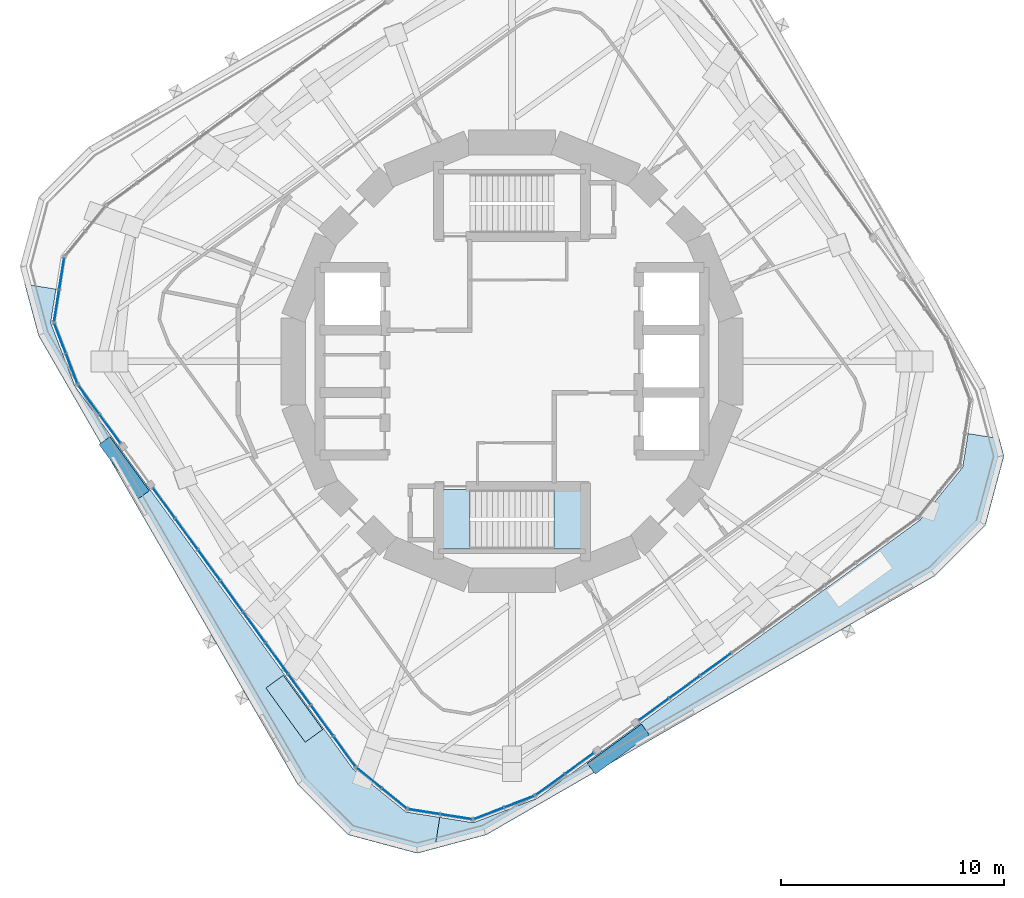
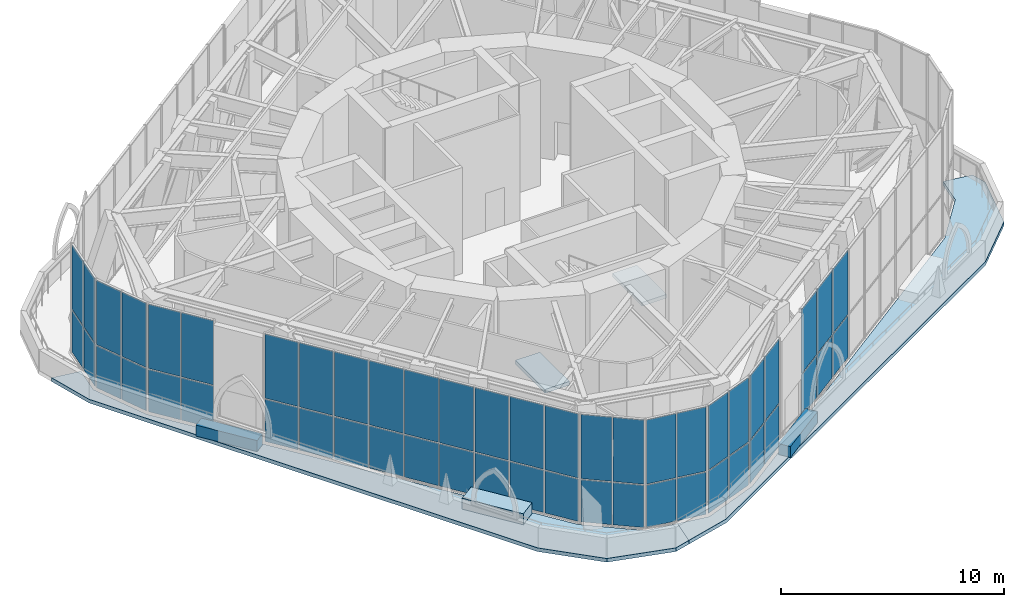
# One storey, part 10 of 18: 55 plates, 4 slabs, 10 elements without a shape of their own.
"""IFC4 building model written with IfcOpenShell, lengths in metres."""

from ifc_helpers import new_model, si_unit, direction, frame, origin, origin_2d, place, context, subcontext, project, spatial, polyline, rectangle, outline, extrude, material, layer, layer_set, type_object, element, aggregate, save


model = new_model("IFC4")

# Units and contexts
model_context = context("Model", 3, precision=1e-05, world=origin(), true_north=direction((0.0, 1.0)))
body_context = subcontext(model_context, "Body", "Model", "MODEL_VIEW")
ifc_project = project(units=[si_unit("LENGTHUNIT", "METRE"), si_unit("AREAUNIT", "SQUARE_METRE"), si_unit("VOLUMEUNIT", "CUBIC_METRE"), si_unit("PLANEANGLEUNIT", "RADIAN"), si_unit("MASSUNIT", "GRAM", prefix="KILO")], contexts=[model_context])

# Site, building, storey
site_placement = place(None, origin())
site = spatial("IfcSite", under=ifc_project, at=site_placement, CompositionType="ELEMENT")
building_placement = place(site_placement, origin())
building = spatial("IfcBuilding", under=site, at=building_placement, Name="Nakasero Lantern House", CompositionType="ELEMENT")
storey_placement = place(building_placement, frame((0.0, 0.0, 257.75)))
storey = spatial("IfcBuildingStorey", under=building, at=storey_placement, Name="L63", CompositionType="ELEMENT", Elevation=257.75)

# Curtain wall, plates
ifc_material_1 = material(Name="Aluminium 6063-T6 and glass", Category="aluminium")
curtain_wall_type = type_object("IfcCurtainWallType", Name="Sky lounge glazing CW-3", PredefinedType="USERDEFINED", material=ifc_material_1)
curtain_wall_1_placement = place(storey_placement, origin())
curtain_wall_1 = element("IfcCurtainWall", 1, at=curtain_wall_1_placement, inside=storey, type_object=curtain_wall_type, Name="Curtain wall CW-3 L63", ObjectType="STICK CURTAIN WALL", PredefinedType="USERDEFINED")
ifc_material_2 = material(Name="Glass", Category="glass")
ifc_layer_1 = layer(ifc_material_2, 0.028076171875)
ifc_layer_set_1 = layer_set([ifc_layer_1], Name="Glazed panel CW-3")
plate_type_1 = type_object("IfcPlateType", Name="Glazed panel CW-3", PredefinedType="CURTAIN_PANEL", material=ifc_layer_set_1)
plate_1_placement = place(storey_placement, frame((-20.177734375, 3.93408203125, 0.06005859375), z_axis=(0.0, 0.0, 1.0), x_axis=(-0.15643446504, -0.987688340595, 0.0)))
plate_1 = element("IfcPlate", 2, at=plate_1_placement, type_object=plate_type_1, Name="CW-3 panel 1.1", PredefinedType="CURTAIN_PANEL", context=body_context, shape_type="SweptSolid", body=[
    extrude(rectangle(XDim=1.398193359375, YDim=0.028076171875, at=origin_2d()), origin(), (0.0, 0.0, 1.0), 2.31005859375),
])
plate_2_placement = place(storey_placement, frame((-20.177734375, 3.93408203125, 2.43017578125), z_axis=(0.0, 0.0, 1.0), x_axis=(-0.15643446504, -0.987688340595, 0.0)))
plate_2 = element("IfcPlate", 3, at=plate_2_placement, type_object=plate_type_1, Name="CW-3 panel 1.2", PredefinedType="CURTAIN_PANEL", context=body_context, shape_type="SweptSolid", body=[
    extrude(rectangle(XDim=1.398193359375, YDim=0.028076171875, at=origin_2d()), origin(), (0.0, 0.0, 1.0), 3.510009765625),
])
plate_3_placement = place(storey_placement, frame((-20.40576171875, 2.493896484375, 0.06005859375), z_axis=(0.0, 0.0, 1.0), x_axis=(-0.15643446504, -0.987688340595, 0.0)))
plate_3 = element("IfcPlate", 4, at=plate_3_placement, type_object=plate_type_1, Name="CW-3 panel 2.1", PredefinedType="CURTAIN_PANEL", context=body_context, shape_type="SweptSolid", body=[
    extrude(rectangle(XDim=1.398193359375, YDim=0.028076171875, at=origin_2d()), origin(), (0.0, 0.0, 1.0), 2.31005859375),
])
plate_4_placement = place(storey_placement, frame((-20.40576171875, 2.493896484375, 2.43017578125), z_axis=(0.0, 0.0, 1.0), x_axis=(-0.15643446504, -0.987688340595, 0.0)))
plate_4 = element("IfcPlate", 5, at=plate_4_placement, type_object=plate_type_1, Name="CW-3 panel 2.2", PredefinedType="CURTAIN_PANEL", context=body_context, shape_type="SweptSolid", body=[
    extrude(rectangle(XDim=1.398193359375, YDim=0.028076171875, at=origin_2d()), origin(), (0.0, 0.0, 1.0), 3.510009765625),
])
aggregate(curtain_wall_1, [plate_1, plate_2, plate_3, plate_4])

curtain_wall_2_placement = place(storey_placement, origin())
curtain_wall_2 = element("IfcCurtainWall", 6, at=curtain_wall_2_placement, inside=storey, type_object=curtain_wall_type, Name="Curtain wall CW-3 L63", ObjectType="STICK CURTAIN WALL", PredefinedType="USERDEFINED")
plate_5_placement = place(storey_placement, frame((-20.252685546875, 1.035400390625, 0.06005859375), z_axis=(0.0, 0.0, 1.0), x_axis=(0.35836794961, -0.933580426472, 0.0)))
plate_5 = element("IfcPlate", 7, at=plate_5_placement, type_object=plate_type_1, Name="CW-3 panel 1.1", PredefinedType="CURTAIN_PANEL", context=body_context, shape_type="SweptSolid", body=[
    extrude(rectangle(XDim=1.398193359375, YDim=0.028076171875, at=origin_2d()), origin(), (0.0, 0.0, 1.0), 2.31005859375),
])
plate_6_placement = place(storey_placement, frame((-20.252685546875, 1.035400390625, 2.43017578125), z_axis=(0.0, 0.0, 1.0), x_axis=(0.35836794961, -0.933580426472, 0.0)))
plate_6 = element("IfcPlate", 8, at=plate_6_placement, type_object=plate_type_1, Name="CW-3 panel 1.2", PredefinedType="CURTAIN_PANEL", context=body_context, shape_type="SweptSolid", body=[
    extrude(rectangle(XDim=1.398193359375, YDim=0.028076171875, at=origin_2d()), origin(), (0.0, 0.0, 1.0), 3.510009765625),
])
plate_7_placement = place(storey_placement, frame((-19.72998046875, -0.325927734375, 0.06005859375), z_axis=(0.0, 0.0, 1.0), x_axis=(0.35836794961, -0.933580426472, 0.0)))
plate_7 = element("IfcPlate", 9, at=plate_7_placement, type_object=plate_type_1, Name="CW-3 panel 2.1", PredefinedType="CURTAIN_PANEL", context=body_context, shape_type="SweptSolid", body=[
    extrude(rectangle(XDim=1.398193359375, YDim=0.028076171875, at=origin_2d()), origin(), (0.0, 0.0, 1.0), 2.31005859375),
])
plate_8_placement = place(storey_placement, frame((-19.72998046875, -0.325927734375, 2.43017578125), z_axis=(0.0, 0.0, 1.0), x_axis=(0.35836794961, -0.933580426472, 0.0)))
plate_8 = element("IfcPlate", 10, at=plate_8_placement, type_object=plate_type_1, Name="CW-3 panel 2.2", PredefinedType="CURTAIN_PANEL", context=body_context, shape_type="SweptSolid", body=[
    extrude(rectangle(XDim=1.398193359375, YDim=0.028076171875, at=origin_2d()), origin(), (0.0, 0.0, 1.0), 3.510009765625),
])
aggregate(curtain_wall_2, [plate_5, plate_6, plate_7, plate_8])

curtain_wall_3_placement = place(storey_placement, origin())
curtain_wall_3 = element("IfcCurtainWall", 11, at=curtain_wall_3_placement, inside=storey, type_object=curtain_wall_type, Name="Curtain wall CW-3 L63", ObjectType="STICK CURTAIN WALL", PredefinedType="USERDEFINED")
plate_9_placement = place(storey_placement, frame((-18.964111328125, -1.71435546875, 0.06005859375), z_axis=(0.0, 0.0, 1.0), x_axis=(0.58778525225, -0.809016994406, 0.0)))
plate_9 = element("IfcPlate", 12, at=plate_9_placement, type_object=plate_type_1, Name="CW-3 panel 1.1", PredefinedType="CURTAIN_PANEL", context=body_context, shape_type="SweptSolid", body=[
    extrude(rectangle(XDim=1.56005859375, YDim=0.028076171875, at=origin_2d()), origin(), (0.0, 0.0, 1.0), 2.31005859375),
])
plate_10_placement = place(storey_placement, frame((-18.964111328125, -1.71435546875, 2.43017578125), z_axis=(0.0, 0.0, 1.0), x_axis=(0.58778525225, -0.809016994406, 0.0)))
plate_10 = element("IfcPlate", 13, at=plate_10_placement, type_object=plate_type_1, Name="CW-3 panel 1.2", PredefinedType="CURTAIN_PANEL", context=body_context, shape_type="SweptSolid", body=[
    extrude(rectangle(XDim=1.56005859375, YDim=0.028076171875, at=origin_2d()), origin(), (0.0, 0.0, 1.0), 3.510009765625),
])
plate_11_placement = place(storey_placement, frame((-18.011962890625, -3.02490234375, 0.06005859375), z_axis=(0.0, 0.0, 1.0), x_axis=(0.58778525225, -0.809016994406, 0.0)))
plate_11 = element("IfcPlate", 14, at=plate_11_placement, type_object=plate_type_1, Name="CW-3 panel 2.1", PredefinedType="CURTAIN_PANEL", context=body_context, shape_type="SweptSolid", body=[
    extrude(rectangle(XDim=1.56005859375, YDim=0.028076171875, at=origin_2d()), origin(), (0.0, 0.0, 1.0), 2.31005859375),
])
plate_12_placement = place(storey_placement, frame((-18.011962890625, -3.02490234375, 2.43017578125), z_axis=(0.0, 0.0, 1.0), x_axis=(0.58778525225, -0.809016994406, 0.0)))
plate_12 = element("IfcPlate", 15, at=plate_12_placement, type_object=plate_type_1, Name="CW-3 panel 2.2", PredefinedType="CURTAIN_PANEL", context=body_context, shape_type="SweptSolid", body=[
    extrude(rectangle(XDim=1.56005859375, YDim=0.028076171875, at=origin_2d()), origin(), (0.0, 0.0, 1.0), 3.510009765625),
])
aggregate(curtain_wall_3, [plate_9, plate_10, plate_11, plate_12])

curtain_wall_4_placement = place(storey_placement, origin())
curtain_wall_4 = element("IfcCurtainWall", 16, at=curtain_wall_4_placement, inside=storey, type_object=curtain_wall_type, Name="Curtain wall CW-3 L63", ObjectType="STICK CURTAIN WALL", PredefinedType="USERDEFINED")
plate_13_placement = place(storey_placement, frame((-5.273681640625, -19.581298828125, 0.06005859375), z_axis=(0.0, 0.0, 1.0), x_axis=(0.777145961424, -0.629320391091, 0.0)))
plate_13 = element("IfcPlate", 17, at=plate_13_placement, type_object=plate_type_1, Name="CW-3 panel 2.1", PredefinedType="CURTAIN_PANEL", context=body_context, shape_type="SweptSolid", body=[
    extrude(rectangle(XDim=1.398193359375, YDim=0.028076171875, at=origin_2d()), origin(), (0.0, 0.0, 1.0), 2.31005859375),
])
plate_14_placement = place(storey_placement, frame((-5.273681640625, -19.581298828125, 2.43017578125), z_axis=(0.0, 0.0, 1.0), x_axis=(0.777145961424, -0.629320391091, 0.0)))
plate_14 = element("IfcPlate", 18, at=plate_14_placement, type_object=plate_type_1, Name="CW-3 panel 2.2", PredefinedType="CURTAIN_PANEL", context=body_context, shape_type="SweptSolid", body=[
    extrude(rectangle(XDim=1.398193359375, YDim=0.028076171875, at=origin_2d()), origin(), (0.0, 0.0, 1.0), 3.510009765625),
])

curtain_wall_5_placement = place(storey_placement, origin())
curtain_wall_5 = element("IfcCurtainWall", 19, at=curtain_wall_5_placement, inside=storey, type_object=curtain_wall_type, Name="Curtain wall CW-3 L63", ObjectType="STICK CURTAIN WALL", PredefinedType="USERDEFINED")
plate_15_placement = place(storey_placement, frame((-3.93408203125, -20.177734375, 0.06005859375), z_axis=(0.0, 0.0, 1.0), x_axis=(0.987688340595, -0.15643446504, 0.0)))
plate_15 = element("IfcPlate", 20, at=plate_15_placement, type_object=plate_type_1, Name="CW-3 panel 1.1", PredefinedType="CURTAIN_PANEL", context=body_context, shape_type="SweptSolid", body=[
    extrude(rectangle(XDim=1.398193359375, YDim=0.028076171875, at=origin_2d()), origin(), (0.0, 0.0, 1.0), 2.31005859375),
])
plate_16_placement = place(storey_placement, frame((-3.93408203125, -20.177734375, 2.43017578125), z_axis=(0.0, 0.0, 1.0), x_axis=(0.987688340595, -0.15643446504, 0.0)))
plate_16 = element("IfcPlate", 21, at=plate_16_placement, type_object=plate_type_1, Name="CW-3 panel 1.2", PredefinedType="CURTAIN_PANEL", context=body_context, shape_type="SweptSolid", body=[
    extrude(rectangle(XDim=1.398193359375, YDim=0.028076171875, at=origin_2d()), origin(), (0.0, 0.0, 1.0), 3.510009765625),
])
plate_17_placement = place(storey_placement, frame((-2.493896484375, -20.40576171875, 0.06005859375), z_axis=(0.0, 0.0, 1.0), x_axis=(0.987688340595, -0.15643446504, 0.0)))
plate_17 = element("IfcPlate", 22, at=plate_17_placement, type_object=plate_type_1, Name="CW-3 panel 2.1", PredefinedType="CURTAIN_PANEL", context=body_context, shape_type="SweptSolid", body=[
    extrude(rectangle(XDim=1.398193359375, YDim=0.028076171875, at=origin_2d()), origin(), (0.0, 0.0, 1.0), 2.31005859375),
])
plate_18_placement = place(storey_placement, frame((-2.493896484375, -20.40576171875, 2.43017578125), z_axis=(0.0, 0.0, 1.0), x_axis=(0.987688340595, -0.15643446504, 0.0)))
plate_18 = element("IfcPlate", 23, at=plate_18_placement, type_object=plate_type_1, Name="CW-3 panel 2.2", PredefinedType="CURTAIN_PANEL", context=body_context, shape_type="SweptSolid", body=[
    extrude(rectangle(XDim=1.398193359375, YDim=0.028076171875, at=origin_2d()), origin(), (0.0, 0.0, 1.0), 3.510009765625),
])
aggregate(curtain_wall_5, [plate_15, plate_16, plate_17, plate_18])

curtain_wall_6_placement = place(storey_placement, origin())
curtain_wall_6 = element("IfcCurtainWall", 24, at=curtain_wall_6_placement, inside=storey, type_object=curtain_wall_type, Name="Curtain wall CW-3 L63", ObjectType="STICK CURTAIN WALL", PredefinedType="USERDEFINED")
plate_19_placement = place(storey_placement, frame((-1.035400390625, -20.252685546875, 0.06005859375), z_axis=(0.0, 0.0, 1.0), x_axis=(0.933580426472, 0.35836794961, 0.0)))
plate_19 = element("IfcPlate", 25, at=plate_19_placement, type_object=plate_type_1, Name="CW-3 panel 1.1", PredefinedType="CURTAIN_PANEL", context=body_context, shape_type="SweptSolid", body=[
    extrude(rectangle(XDim=1.398193359375, YDim=0.028076171875, at=origin_2d()), origin(), (0.0, 0.0, 1.0), 2.31005859375),
])
plate_20_placement = place(storey_placement, frame((-1.035400390625, -20.252685546875, 2.43017578125), z_axis=(0.0, 0.0, 1.0), x_axis=(0.933580426472, 0.35836794961, 0.0)))
plate_20 = element("IfcPlate", 26, at=plate_20_placement, type_object=plate_type_1, Name="CW-3 panel 1.2", PredefinedType="CURTAIN_PANEL", context=body_context, shape_type="SweptSolid", body=[
    extrude(rectangle(XDim=1.398193359375, YDim=0.028076171875, at=origin_2d()), origin(), (0.0, 0.0, 1.0), 3.510009765625),
])
plate_21_placement = place(storey_placement, frame((0.325927734375, -19.72998046875, 0.06005859375), z_axis=(0.0, 0.0, 1.0), x_axis=(0.933580426472, 0.35836794961, 0.0)))
plate_21 = element("IfcPlate", 27, at=plate_21_placement, type_object=plate_type_1, Name="CW-3 panel 2.1", PredefinedType="CURTAIN_PANEL", context=body_context, shape_type="SweptSolid", body=[
    extrude(rectangle(XDim=1.398193359375, YDim=0.028076171875, at=origin_2d()), origin(), (0.0, 0.0, 1.0), 2.31005859375),
])
plate_22_placement = place(storey_placement, frame((0.325927734375, -19.72998046875, 2.43017578125), z_axis=(0.0, 0.0, 1.0), x_axis=(0.933580426472, 0.35836794961, 0.0)))
plate_22 = element("IfcPlate", 28, at=plate_22_placement, type_object=plate_type_1, Name="CW-3 panel 2.2", PredefinedType="CURTAIN_PANEL", context=body_context, shape_type="SweptSolid", body=[
    extrude(rectangle(XDim=1.398193359375, YDim=0.028076171875, at=origin_2d()), origin(), (0.0, 0.0, 1.0), 3.510009765625),
])
aggregate(curtain_wall_6, [plate_19, plate_20, plate_21, plate_22])

curtain_wall_7_placement = place(storey_placement, origin())
curtain_wall_7 = element("IfcCurtainWall", 29, at=curtain_wall_7_placement, inside=storey, type_object=curtain_wall_type, Name="Curtain wall CW-3 L63", ObjectType="STICK CURTAIN WALL", PredefinedType="USERDEFINED")
plate_23_placement = place(storey_placement, frame((1.71435546875, -18.964111328125, 0.06005859375), z_axis=(0.0, 0.0, 1.0), x_axis=(0.809016994406, 0.58778525225, 0.0)))
plate_23 = element("IfcPlate", 30, at=plate_23_placement, type_object=plate_type_1, Name="CW-3 panel 1.1", PredefinedType="CURTAIN_PANEL", context=body_context, shape_type="SweptSolid", body=[
    extrude(rectangle(XDim=1.56005859375, YDim=0.028076171875, at=origin_2d()), origin(), (0.0, 0.0, 1.0), 2.31005859375),
])
plate_24_placement = place(storey_placement, frame((1.71435546875, -18.964111328125, 2.43017578125), z_axis=(0.0, 0.0, 1.0), x_axis=(0.809016994406, 0.58778525225, 0.0)))
plate_24 = element("IfcPlate", 31, at=plate_24_placement, type_object=plate_type_1, Name="CW-3 panel 1.2", PredefinedType="CURTAIN_PANEL", context=body_context, shape_type="SweptSolid", body=[
    extrude(rectangle(XDim=1.56005859375, YDim=0.028076171875, at=origin_2d()), origin(), (0.0, 0.0, 1.0), 3.510009765625),
])
plate_25_placement = place(storey_placement, frame((3.02490234375, -18.011962890625, 0.06005859375), z_axis=(0.0, 0.0, 1.0), x_axis=(0.809016994406, 0.58778525225, 0.0)))
plate_25 = element("IfcPlate", 32, at=plate_25_placement, type_object=plate_type_1, Name="CW-3 panel 2.1", PredefinedType="CURTAIN_PANEL", context=body_context, shape_type="SweptSolid", body=[
    extrude(rectangle(XDim=1.56005859375, YDim=0.028076171875, at=origin_2d()), origin(), (0.0, 0.0, 1.0), 2.31005859375),
])
plate_26_placement = place(storey_placement, frame((3.02490234375, -18.011962890625, 2.43017578125), z_axis=(0.0, 0.0, 1.0), x_axis=(0.809016994406, 0.58778525225, 0.0)))
plate_26 = element("IfcPlate", 33, at=plate_26_placement, type_object=plate_type_1, Name="CW-3 panel 2.2", PredefinedType="CURTAIN_PANEL", context=body_context, shape_type="SweptSolid", body=[
    extrude(rectangle(XDim=1.56005859375, YDim=0.028076171875, at=origin_2d()), origin(), (0.0, 0.0, 1.0), 3.510009765625),
])
aggregate(curtain_wall_7, [plate_23, plate_24, plate_25, plate_26])

curtain_wall_8_placement = place(storey_placement, origin())
curtain_wall_8 = element("IfcCurtainWall", 34, at=curtain_wall_8_placement, inside=storey, type_object=curtain_wall_type, Name="Curtain wall CW-3 L63", ObjectType="STICK CURTAIN WALL", PredefinedType="USERDEFINED")
ifc_material_3 = material(Name="Aluminium 6063-T6 and insulation", Category="aluminium")
ifc_layer_2 = layer(ifc_material_3, 0.028076171875)
ifc_layer_set_2 = layer_set([ifc_layer_2], Name="Insulated panel CW-3")
plate_type_2 = type_object("IfcPlateType", Name="Insulated panel CW-3", PredefinedType="CURTAIN_PANEL", material=ifc_layer_set_2)
plate_27_placement = place(storey_placement, frame((-15.592529296875, -6.35498046875, 0.06005859375), z_axis=(0.0, 0.0, 1.0), x_axis=(0.587785252292, -0.809016994375, 0.0)))
plate_27 = element("IfcPlate", 35, at=plate_27_placement, type_object=plate_type_2, Name="CW-3 panel 1.1", PredefinedType="CURTAIN_PANEL", context=body_context, shape_type="SweptSolid", body=[
    extrude(rectangle(XDim=1.63232421875, YDim=0.028076171875, at=origin_2d()), origin(), (0.0, 0.0, 1.0), 2.31005859375),
])
plate_28_placement = place(storey_placement, frame((-15.592529296875, -6.35498046875, 2.43017578125), z_axis=(0.0, 0.0, 1.0), x_axis=(0.587785252292, -0.809016994375, 0.0)))
plate_28 = element("IfcPlate", 36, at=plate_28_placement, type_object=plate_type_2, Name="CW-3 panel 1.2", PredefinedType="CURTAIN_PANEL", context=body_context, shape_type="SweptSolid", body=[
    extrude(rectangle(XDim=1.63232421875, YDim=0.028076171875, at=origin_2d()), origin(), (0.0, 0.0, 1.0), 3.510009765625),
])
plate_29_placement = place(storey_placement, frame((-14.589111328125, -7.736083984375, 0.06005859375), z_axis=(0.0, 0.0, 1.0), x_axis=(0.587785252292, -0.809016994375, 0.0)))
plate_29 = element("IfcPlate", 37, at=plate_29_placement, type_object=plate_type_2, Name="CW-3 panel 2.1", PredefinedType="CURTAIN_PANEL", context=body_context, shape_type="SweptSolid", body=[
    extrude(rectangle(XDim=1.662109375, YDim=0.028076171875, at=origin_2d()), origin(), (0.0, 0.0, 1.0), 2.31005859375),
])
plate_30_placement = place(storey_placement, frame((-14.589111328125, -7.736083984375, 2.43017578125), z_axis=(0.0, 0.0, 1.0), x_axis=(0.587785252292, -0.809016994375, 0.0)))
plate_30 = element("IfcPlate", 38, at=plate_30_placement, type_object=plate_type_2, Name="CW-3 panel 2.2", PredefinedType="CURTAIN_PANEL", context=body_context, shape_type="SweptSolid", body=[
    extrude(rectangle(XDim=1.662109375, YDim=0.028076171875, at=origin_2d()), origin(), (0.0, 0.0, 1.0), 3.510009765625),
])
plate_31_placement = place(storey_placement, frame((-13.576904296875, -9.12939453125, 0.06005859375), z_axis=(0.0, 0.0, 1.0), x_axis=(0.587785252292, -0.809016994375, 0.0)))
plate_31 = element("IfcPlate", 39, at=plate_31_placement, type_object=plate_type_2, Name="CW-3 panel 3.1", PredefinedType="CURTAIN_PANEL", context=body_context, shape_type="SweptSolid", body=[
    extrude(rectangle(XDim=1.662109375, YDim=0.028076171875, at=origin_2d()), origin(), (0.0, 0.0, 1.0), 2.31005859375),
])
plate_32_placement = place(storey_placement, frame((-13.576904296875, -9.12939453125, 2.43017578125), z_axis=(0.0, 0.0, 1.0), x_axis=(0.587785252292, -0.809016994375, 0.0)))
plate_32 = element("IfcPlate", 40, at=plate_32_placement, type_object=plate_type_2, Name="CW-3 panel 3.2", PredefinedType="CURTAIN_PANEL", context=body_context, shape_type="SweptSolid", body=[
    extrude(rectangle(XDim=1.662109375, YDim=0.028076171875, at=origin_2d()), origin(), (0.0, 0.0, 1.0), 3.510009765625),
])
plate_33_placement = place(storey_placement, frame((-12.564453125, -10.522705078125, 0.06005859375), z_axis=(0.0, 0.0, 1.0), x_axis=(0.587785252292, -0.809016994375, 0.0)))
plate_33 = element("IfcPlate", 41, at=plate_33_placement, type_object=plate_type_2, Name="CW-3 panel 4.1", PredefinedType="CURTAIN_PANEL", context=body_context, shape_type="SweptSolid", body=[
    extrude(rectangle(XDim=1.662109375, YDim=0.028076171875, at=origin_2d()), origin(), (0.0, 0.0, 1.0), 2.31005859375),
])
plate_34_placement = place(storey_placement, frame((-12.564453125, -10.522705078125, 2.43017578125), z_axis=(0.0, 0.0, 1.0), x_axis=(0.587785252292, -0.809016994375, 0.0)))
plate_34 = element("IfcPlate", 42, at=plate_34_placement, type_object=plate_type_2, Name="CW-3 panel 4.2", PredefinedType="CURTAIN_PANEL", context=body_context, shape_type="SweptSolid", body=[
    extrude(rectangle(XDim=1.662109375, YDim=0.028076171875, at=origin_2d()), origin(), (0.0, 0.0, 1.0), 3.510009765625),
])
plate_35_placement = place(storey_placement, frame((-11.55224609375, -11.916015625, 0.06005859375), z_axis=(0.0, 0.0, 1.0), x_axis=(0.587785252292, -0.809016994375, 0.0)))
plate_35 = element("IfcPlate", 43, at=plate_35_placement, type_object=plate_type_2, Name="CW-3 panel 5.1", PredefinedType="CURTAIN_PANEL", context=body_context, shape_type="SweptSolid", body=[
    extrude(rectangle(XDim=1.662109375, YDim=0.028076171875, at=origin_2d()), origin(), (0.0, 0.0, 1.0), 2.31005859375),
])
plate_36_placement = place(storey_placement, frame((-11.55224609375, -11.916015625, 2.43017578125), z_axis=(0.0, 0.0, 1.0), x_axis=(0.587785252292, -0.809016994375, 0.0)))
plate_36 = element("IfcPlate", 44, at=plate_36_placement, type_object=plate_type_2, Name="CW-3 panel 5.2", PredefinedType="CURTAIN_PANEL", context=body_context, shape_type="SweptSolid", body=[
    extrude(rectangle(XDim=1.662109375, YDim=0.028076171875, at=origin_2d()), origin(), (0.0, 0.0, 1.0), 3.510009765625),
])
plate_37_placement = place(storey_placement, frame((-10.5400390625, -13.309326171875, 0.06005859375), z_axis=(0.0, 0.0, 1.0), x_axis=(0.587785252292, -0.809016994375, 0.0)))
plate_37 = element("IfcPlate", 45, at=plate_37_placement, type_object=plate_type_2, Name="CW-3 panel 6.1", PredefinedType="CURTAIN_PANEL", context=body_context, shape_type="SweptSolid", body=[
    extrude(rectangle(XDim=1.662109375, YDim=0.028076171875, at=origin_2d()), origin(), (0.0, 0.0, 1.0), 2.31005859375),
])
plate_38_placement = place(storey_placement, frame((-10.5400390625, -13.309326171875, 2.43017578125), z_axis=(0.0, 0.0, 1.0), x_axis=(0.587785252292, -0.809016994375, 0.0)))
plate_38 = element("IfcPlate", 46, at=plate_38_placement, type_object=plate_type_2, Name="CW-3 panel 6.2", PredefinedType="CURTAIN_PANEL", context=body_context, shape_type="SweptSolid", body=[
    extrude(rectangle(XDim=1.662109375, YDim=0.028076171875, at=origin_2d()), origin(), (0.0, 0.0, 1.0), 3.510009765625),
])
plate_39_placement = place(storey_placement, frame((-9.527587890625, -14.70263671875, 0.06005859375), z_axis=(0.0, 0.0, 1.0), x_axis=(0.587785252292, -0.809016994375, 0.0)))
plate_39 = element("IfcPlate", 47, at=plate_39_placement, type_object=plate_type_2, Name="CW-3 panel 7.1", PredefinedType="CURTAIN_PANEL", context=body_context, shape_type="SweptSolid", body=[
    extrude(rectangle(XDim=1.662109375, YDim=0.028076171875, at=origin_2d()), origin(), (0.0, 0.0, 1.0), 2.31005859375),
])
plate_40_placement = place(storey_placement, frame((-9.527587890625, -14.70263671875, 2.43017578125), z_axis=(0.0, 0.0, 1.0), x_axis=(0.587785252292, -0.809016994375, 0.0)))
plate_40 = element("IfcPlate", 48, at=plate_40_placement, type_object=plate_type_2, Name="CW-3 panel 7.2", PredefinedType="CURTAIN_PANEL", context=body_context, shape_type="SweptSolid", body=[
    extrude(rectangle(XDim=1.662109375, YDim=0.028076171875, at=origin_2d()), origin(), (0.0, 0.0, 1.0), 3.510009765625),
])
plate_41_placement = place(storey_placement, frame((-8.515380859375, -16.095947265625, 0.06005859375), z_axis=(0.0, 0.0, 1.0), x_axis=(0.587785252292, -0.809016994375, 0.0)))
plate_41 = element("IfcPlate", 49, at=plate_41_placement, type_object=plate_type_2, Name="CW-3 panel 8.1", PredefinedType="CURTAIN_PANEL", context=body_context, shape_type="SweptSolid", body=[
    extrude(rectangle(XDim=1.662109375, YDim=0.028076171875, at=origin_2d()), origin(), (0.0, 0.0, 1.0), 2.31005859375),
])
plate_42_placement = place(storey_placement, frame((-8.515380859375, -16.095947265625, 2.43017578125), z_axis=(0.0, 0.0, 1.0), x_axis=(0.587785252292, -0.809016994375, 0.0)))
plate_42 = element("IfcPlate", 50, at=plate_42_placement, type_object=plate_type_2, Name="CW-3 panel 8.2", PredefinedType="CURTAIN_PANEL", context=body_context, shape_type="SweptSolid", body=[
    extrude(rectangle(XDim=1.662109375, YDim=0.028076171875, at=origin_2d()), origin(), (0.0, 0.0, 1.0), 3.510009765625),
])
plate_43_placement = place(storey_placement, frame((-7.511962890625, -17.47705078125, 0.06005859375), z_axis=(0.0, 0.0, 1.0), x_axis=(0.587785252292, -0.809016994375, 0.0)))
plate_43 = element("IfcPlate", 51, at=plate_43_placement, type_object=plate_type_2, Name="CW-3 panel 9.1", PredefinedType="CURTAIN_PANEL", context=body_context, shape_type="SweptSolid", body=[
    extrude(rectangle(XDim=1.63232421875, YDim=0.028076171875, at=origin_2d()), origin(), (0.0, 0.0, 1.0), 2.31005859375),
])
plate_44_placement = place(storey_placement, frame((-7.511962890625, -17.47705078125, 2.43017578125), z_axis=(0.0, 0.0, 1.0), x_axis=(0.587785252292, -0.809016994375, 0.0)))
plate_44 = element("IfcPlate", 52, at=plate_44_placement, type_object=plate_type_2, Name="CW-3 panel 9.2", PredefinedType="CURTAIN_PANEL", context=body_context, shape_type="SweptSolid", body=[
    extrude(rectangle(XDim=1.63232421875, YDim=0.028076171875, at=origin_2d()), origin(), (0.0, 0.0, 1.0), 3.510009765625),
])
aggregate(curtain_wall_8, [plate_27, plate_28, plate_29, plate_30, plate_31, plate_32, plate_33, plate_34, plate_35, plate_36, plate_37, plate_38, plate_39, plate_40, plate_41, plate_42, plate_43, plate_44])

# Plate
plate_45_placement = place(storey_placement, frame((-6.406982421875, -18.66357421875, 0.06005859375), z_axis=(0.0, 0.0, 1.0), x_axis=(0.777145961424, -0.629320391091, 0.0)))
plate_45 = element("IfcPlate", 53, at=plate_45_placement, type_object=plate_type_2, Name="CW-3 panel 1.1", PredefinedType="CURTAIN_PANEL", context=body_context, shape_type="SweptSolid", body=[
    extrude(rectangle(XDim=1.398193359375, YDim=0.028076171875, at=origin_2d()), origin(), (0.0, 0.0, 1.0), 2.31005859375),
])

plate_46_placement = place(storey_placement, frame((-6.406982421875, -18.66357421875, 2.43017578125), z_axis=(0.0, 0.0, 1.0), x_axis=(0.777145961424, -0.629320391091, 0.0)))
plate_46 = element("IfcPlate", 54, at=plate_46_placement, type_object=plate_type_2, Name="CW-3 panel 1.2", PredefinedType="CURTAIN_PANEL", context=body_context, shape_type="SweptSolid", body=[
    extrude(rectangle(XDim=1.398193359375, YDim=0.028076171875, at=origin_2d()), origin(), (0.0, 0.0, 1.0), 3.510009765625),
])

aggregate(curtain_wall_4, [plate_45, plate_46, plate_13, plate_14])

# Curtain wall, plates
curtain_wall_9_placement = place(storey_placement, origin())
curtain_wall_9 = element("IfcCurtainWall", 55, at=curtain_wall_9_placement, inside=storey, type_object=curtain_wall_type, Name="Curtain wall CW-3 L63", ObjectType="STICK CURTAIN WALL", PredefinedType="USERDEFINED")
plate_47_placement = place(storey_placement, frame((6.35498046875, -15.592529296875, 0.06005859375), z_axis=(0.0, 0.0, 1.0), x_axis=(0.809016994375, 0.587785252292, 0.0)))
plate_47 = element("IfcPlate", 56, at=plate_47_placement, type_object=plate_type_2, Name="CW-3 panel 1.1", PredefinedType="CURTAIN_PANEL", context=body_context, shape_type="SweptSolid", body=[
    extrude(rectangle(XDim=1.63232421875, YDim=0.028076171875, at=origin_2d()), origin(), (0.0, 0.0, 1.0), 2.31005859375),
])
plate_48_placement = place(storey_placement, frame((6.35498046875, -15.592529296875, 2.43017578125), z_axis=(0.0, 0.0, 1.0), x_axis=(0.809016994375, 0.587785252292, 0.0)))
plate_48 = element("IfcPlate", 57, at=plate_48_placement, type_object=plate_type_2, Name="CW-3 panel 1.2", PredefinedType="CURTAIN_PANEL", context=body_context, shape_type="SweptSolid", body=[
    extrude(rectangle(XDim=1.63232421875, YDim=0.028076171875, at=origin_2d()), origin(), (0.0, 0.0, 1.0), 3.510009765625),
])
plate_49_placement = place(storey_placement, frame((7.736083984375, -14.589111328125, 0.06005859375), z_axis=(0.0, 0.0, 1.0), x_axis=(0.809016994375, 0.587785252292, 0.0)))
plate_49 = element("IfcPlate", 58, at=plate_49_placement, type_object=plate_type_2, Name="CW-3 panel 2.1", PredefinedType="CURTAIN_PANEL", context=body_context, shape_type="SweptSolid", body=[
    extrude(rectangle(XDim=1.662109375, YDim=0.028076171875, at=origin_2d()), origin(), (0.0, 0.0, 1.0), 2.31005859375),
])
plate_50_placement = place(storey_placement, frame((7.736083984375, -14.589111328125, 2.43017578125), z_axis=(0.0, 0.0, 1.0), x_axis=(0.809016994375, 0.587785252292, 0.0)))
plate_50 = element("IfcPlate", 59, at=plate_50_placement, type_object=plate_type_2, Name="CW-3 panel 2.2", PredefinedType="CURTAIN_PANEL", context=body_context, shape_type="SweptSolid", body=[
    extrude(rectangle(XDim=1.662109375, YDim=0.028076171875, at=origin_2d()), origin(), (0.0, 0.0, 1.0), 3.510009765625),
])
plate_51_placement = place(storey_placement, frame((9.12939453125, -13.576904296875, 0.06005859375), z_axis=(0.0, 0.0, 1.0), x_axis=(0.809016994375, 0.587785252292, 0.0)))
plate_51 = element("IfcPlate", 60, at=plate_51_placement, type_object=plate_type_2, Name="CW-3 panel 3.1", PredefinedType="CURTAIN_PANEL", context=body_context, shape_type="SweptSolid", body=[
    extrude(rectangle(XDim=1.662109375, YDim=0.028076171875, at=origin_2d()), origin(), (0.0, 0.0, 1.0), 2.31005859375),
])
plate_52_placement = place(storey_placement, frame((9.12939453125, -13.576904296875, 2.43017578125), z_axis=(0.0, 0.0, 1.0), x_axis=(0.809016994375, 0.587785252292, 0.0)))
plate_52 = element("IfcPlate", 61, at=plate_52_placement, type_object=plate_type_2, Name="CW-3 panel 3.2", PredefinedType="CURTAIN_PANEL", context=body_context, shape_type="SweptSolid", body=[
    extrude(rectangle(XDim=1.662109375, YDim=0.028076171875, at=origin_2d()), origin(), (0.0, 0.0, 1.0), 3.510009765625),
])
aggregate(curtain_wall_9, [plate_47, plate_48, plate_49, plate_50, plate_51, plate_52])

# Plates
ifc_material_4 = material(Name="Aluminium 6063-T6", Category="aluminium")
ifc_layer_3 = layer(ifc_material_4, 0.60009765625)
ifc_layer_set_3 = layer_set([ifc_layer_3], Name="Sky garden planter 1200x3000")
plate_type_3 = type_object("IfcPlateType", Name="Sky garden planter 1200x3000", PredefinedType="USERDEFINED", material=ifc_layer_set_3)
plate_53_placement = place(storey_placement, frame((-17.37841796875, -4.7646484375, 0.0), z_axis=(0.0, 0.0, 1.0), x_axis=(-0.809016994375, -0.587785252292, 0.0)))
element("IfcPlate", 62, at=plate_53_placement, inside=storey, type_object=plate_type_3, Name="Sky garden PLANTER L63 20", ObjectType="PLANTER", PredefinedType="USERDEFINED", context=body_context, shape_type="SweptSolid", body=[
    extrude(rectangle(XDim=0.60009765625, YDim=3.0, at=origin_2d()), origin(), (0.0, 0.0, 1.0), 0.60009765625),
])
plate_54_placement = place(storey_placement, frame((-9.756103515625, -15.567626953125, 0.0), z_axis=(0.0, 0.0, 1.0), x_axis=(-0.809016994375, -0.587785252292, 0.0)))
element("IfcPlate", 63, at=plate_54_placement, inside=storey, type_object=plate_type_3, Name="Sky garden PLANTER L63 21", ObjectType="PLANTER", PredefinedType="USERDEFINED", context=body_context, shape_type="SweptSolid", body=[
    extrude(rectangle(XDim=0.96630859375, YDim=3.0, at=origin_2d()), origin(), (0.0, 0.0, 1.0), 0.60009765625),
])
plate_55_placement = place(storey_placement, frame((4.7646484375, -17.37841796875, 0.0), z_axis=(0.0, 0.0, 1.0), x_axis=(0.587785252292, -0.809016994375, 0.0)))
element("IfcPlate", 64, at=plate_55_placement, inside=storey, type_object=plate_type_3, Name="Sky garden PLANTER L63 30", ObjectType="PLANTER", PredefinedType="USERDEFINED", context=body_context, shape_type="SweptSolid", body=[
    extrude(rectangle(XDim=0.60009765625, YDim=3.0, at=origin_2d()), origin(), (0.0, 0.0, 1.0), 0.60009765625),
])

# Slabs
ifc_material_5 = material(Name="Concrete C35/45", Category="concrete")
ifc_layer_4 = layer(ifc_material_5, 0.199951171875)
ifc_layer_set_4 = layer_set([ifc_layer_4], Name="Sky garden terrace slab 200")
slab_type_1 = type_object("IfcSlabType", Name="Sky garden terrace slab 200", PredefinedType="USERDEFINED", material=ifc_layer_set_4)
slab_1_placement = place(storey_placement, frame((0.0, 0.0, -0.199951171875)))
element("IfcSlab", 65, at=slab_1_placement, inside=storey, type_object=slab_type_1, Name="Sky garden terrace L63 W", ObjectType="TERRACE", PredefinedType="USERDEFINED", context=body_context, shape_type="SweptSolid", body=[
    extrude(outline(polyline([(-4.245849609375, -22.0458984375), (-7.345947265625, -21.21533203125), (-9.615234375, -18.94580078125), (-21.21533203125, 1.14599609375), (-21.8349609375, 3.458251953125), (-20.434814453125, 3.236572265625), (-20.673828125, 1.728271484375), (-19.579345703125, -1.122802734375), (-7.1181640625, -18.27392578125), (-4.744873046875, -20.196044921875), (-3.236572265625, -20.434814453125), (-3.458251953125, -21.8349609375), (-4.245849609375, -22.0458984375)])), origin(), (0.0, 0.0, 1.0), 0.199951171875),
])
slab_2_placement = place(storey_placement, frame((0.0, 0.0, -0.199951171875)))
element("IfcSlab", 66, at=slab_2_placement, inside=storey, type_object=slab_type_1, Name="Sky garden terrace L63 S", ObjectType="TERRACE", PredefinedType="USERDEFINED", context=body_context, shape_type="SweptSolid", body=[
    extrude(outline(polyline([(22.0458984375, -4.245849609375), (21.21533203125, -7.345947265625), (18.94580078125, -9.615234375), (-1.14599609375, -21.21533203125), (-3.458251953125, -21.8349609375), (-3.236572265625, -20.434814453125), (-1.728271484375, -20.673828125), (1.122802734375, -19.579345703125), (18.27392578125, -7.1181640625), (20.196044921875, -4.744873046875), (20.434814453125, -3.236572265625), (21.8349609375, -3.458251953125), (22.0458984375, -4.245849609375)])), origin(), (0.0, 0.0, 1.0), 0.199951171875),
])

# Stair, slabs
ifc_material_6 = material(Name="Concrete C40/50", Category="concrete")
stair_type = type_object("IfcStairType", Name="Escape stair ST2 32 risers", PredefinedType="HALF_TURN_STAIR", material=ifc_material_6)
stair_placement = place(storey_placement, origin())
stair = element("IfcStair", 67, at=stair_placement, inside=storey, type_object=stair_type, Name="Escape stair ST2 L63", PredefinedType="HALF_TURN_STAIR")
ifc_material_7 = material(Name="Concrete C40/50", Category="concrete")
ifc_layer_5 = layer(ifc_material_7, 0.199951171875)
ifc_layer_set_5 = layer_set([ifc_layer_5], Name="Stair landing 200")
slab_type_2 = type_object("IfcSlabType", Name="Stair landing 200", PredefinedType="LANDING", material=ifc_layer_set_5)
slab_3_placement = place(storey_placement, frame((0.0, 0.0, -0.199951171875)))
slab_3 = element("IfcSlab", 68, at=slab_3_placement, type_object=slab_type_2, Name="ST2 landing 1", PredefinedType="LANDING", context=body_context, shape_type="SweptSolid", body=[
    extrude(outline(polyline([(-3.14990234375, -8.39990234375), (-1.875, -8.39990234375), (-1.875, -5.75), (-3.14990234375, -5.75), (-3.14990234375, -8.39990234375)])), origin(), (0.0, 0.0, 1.0), 0.199951171875),
])
slab_4_placement = place(storey_placement, frame((0.0, 0.0, 2.800048828125)))
slab_4 = element("IfcSlab", 69, at=slab_4_placement, type_object=slab_type_2, Name="ST2 landing 2", PredefinedType="LANDING", context=body_context, shape_type="SweptSolid", body=[
    extrude(outline(polyline([(1.875, -8.39990234375), (3.14990234375, -8.39990234375), (3.14990234375, -5.75), (1.875, -5.75), (1.875, -8.39990234375)])), origin(), (0.0, 0.0, 1.0), 0.199951171875),
])
aggregate(stair, [slab_3, slab_4])

save(model, "model.ifc")
